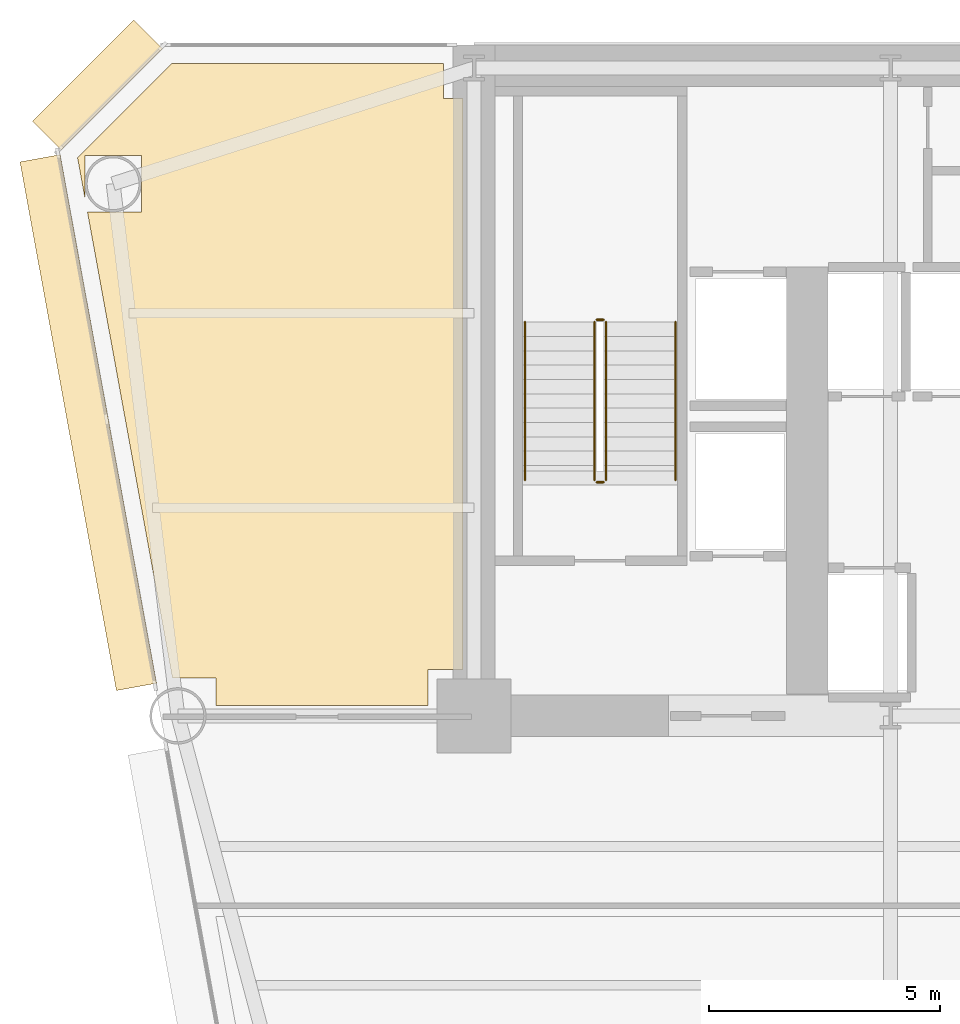
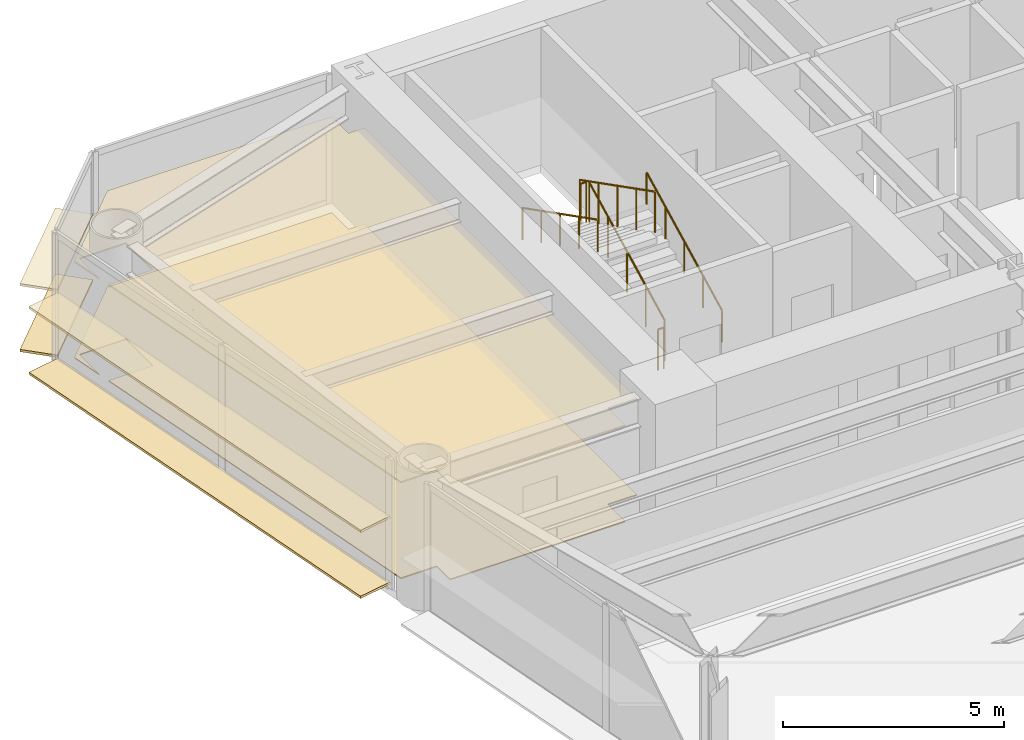
# One storey, part 12 of 14: 6 coverings, 6 railings.
"""IFC4 building model written with IfcOpenShell, lengths in metres."""

from ifc_helpers import new_model, si_unit, direction, frame, origin, origin_2d, place, context, subcontext, project, spatial, polyline, rectangle, circle, outline, extrude, source, transform, mapped, material, layer, layer_set, type_object, element, save


model = new_model("IFC4")

# Units and contexts
model_context = context("Model", 3, precision=1e-05, world=origin(), true_north=direction((0.0, 1.0)))
body_context = subcontext(model_context, "Body", "Model", "MODEL_VIEW")
ifc_project = project(units=[si_unit("LENGTHUNIT", "METRE"), si_unit("AREAUNIT", "SQUARE_METRE"), si_unit("VOLUMEUNIT", "CUBIC_METRE"), si_unit("PLANEANGLEUNIT", "RADIAN"), si_unit("MASSUNIT", "GRAM", prefix="KILO")], contexts=[model_context])

# Site, building, storey
site_placement = place(None, origin())
site = spatial("IfcSite", under=ifc_project, at=site_placement, CompositionType="ELEMENT")
building_placement = place(site_placement, origin())
building = spatial("IfcBuilding", under=site, at=building_placement, Name="Vaeldorn Concourse Tower", CompositionType="ELEMENT")
storey_placement = place(building_placement, frame((0.0, 0.0, 60.60009765625)))
storey = spatial("IfcBuildingStorey", under=building, at=storey_placement, Name="L15", CompositionType="ELEMENT", Elevation=60.60009765625)

# Coverings
ifc_material_1 = material(Name="Acoustic Mineral Fibre Board", Category="gypsum")
ifc_layer_1 = layer(ifc_material_1, 0.0400390625)
ifc_layer_set_1 = layer_set([ifc_layer_1], Name="Acoustic Mineral Fibre Board")
covering_type_1 = type_object("IfcCoveringType", Name="COV-CEIL-ACOUSTIC", PredefinedType="CEILING", material=ifc_layer_set_1)
covering_1_placement = place(storey_placement, frame((0.0, 0.0, 2.64990234375)))
element("IfcCovering", 1, at=covering_1_placement, inside=storey, type_object=covering_type_1, Name="Suspended Acoustic Ceiling L15-3", PredefinedType="CEILING", context=body_context, shape_type="SweptSolid", body=[
    extrude(outline(polyline([(7.4658203125, 50.60009765625), (13.340087890625, 50.60009765625), (13.340087890625, 49.840087890625), (13.760009765625, 49.840087890625), (13.760009765625, 37.5), (13.0, 37.5), (13.0, 36.719970703125), (8.419921875, 36.719970703125), (8.419921875, 37.320068359375), (7.481689453125, 37.320068359375), (5.6455078125, 47.390380859375), (6.8095703125, 47.390380859375), (6.8095703125, 48.609619140625), (5.590576171875, 48.609619140625), (5.590576171875, 47.69140625), (5.43115234375, 48.5654296875), (7.4658203125, 50.60009765625)])), origin(), (0.0, 0.0, 1.0), 0.0400390625),
])
ifc_material_2 = material(Name="Honed Limestone Terrazzo Flooring", Category="masonry")
ifc_layer_2 = layer(ifc_material_2, 0.0400390625)
ifc_layer_set_2 = layer_set([ifc_layer_2], Name="Honed Limestone Terrazzo Flooring")
covering_type_2 = type_object("IfcCoveringType", Name="COV-FLOOR-STONE", PredefinedType="FLOORING", material=ifc_layer_set_2)
covering_2_placement = place(storey_placement, origin())
element("IfcCovering", 2, at=covering_2_placement, inside=storey, type_object=covering_type_2, Name="Floor Finish Covering L15-3", PredefinedType="FLOORING", context=body_context, shape_type="SweptSolid", body=[
    extrude(outline(polyline([(7.4658203125, 50.60009765625), (13.340087890625, 50.60009765625), (13.340087890625, 49.840087890625), (13.760009765625, 49.840087890625), (13.760009765625, 37.5), (13.0, 37.5), (13.0, 36.719970703125), (8.419921875, 36.719970703125), (8.419921875, 37.320068359375), (7.481689453125, 37.320068359375), (5.6455078125, 47.390380859375), (6.8095703125, 47.390380859375), (6.8095703125, 48.609619140625), (5.590576171875, 48.609619140625), (5.590576171875, 47.69140625), (5.43115234375, 48.5654296875), (7.4658203125, 50.60009765625)])), origin(), (0.0, 0.0, 1.0), 0.02978515625),
])

# Railings
ifc_material_3 = material(Name="Anodised Bronze Aluminium", Category="aluminium")
railing_type_1 = type_object("IfcRailingType", Name="RL-STAIR-GUARD", PredefinedType="GUARDRAIL", material=ifc_material_3)
railing_1_placement = place(storey_placement, frame((16.85009765625, 41.60009765625, 0.158203125)))
element("IfcRailing", 3, at=railing_1_placement, inside=storey, type_object=railing_type_1, Name="L15 ST-1 stair guard 1", PredefinedType="GUARDRAIL", context=body_context, shape_type="SweptSolid", body=[
    extrude(circle(Radius=0.02392578125, at=origin_2d()), frame((0.0, 0.0, 1.1259765625), z_axis=(0.0, 0.890555807335, 0.454873997962), x_axis=(-1.0, 0.0, 0.0)), (0.0, 0.0, 1.0), 3.828857421875),
    extrude(circle(Radius=0.02099609375, at=origin_2d()), origin(), (0.0, 0.0, 1.0), 1.101806640625),
    extrude(circle(Radius=0.02099609375, at=origin_2d()), frame((0.0, 0.8525390625, 0.435546875)), (0.0, 0.0, 1.0), 1.101806640625),
    extrude(circle(Radius=0.02099609375, at=origin_2d()), frame((0.0, 1.705078125, 0.870849609375)), (0.0, 0.0, 1.0), 1.101806640625),
    extrude(circle(Radius=0.02099609375, at=origin_2d()), frame((0.0, 2.557373046875, 1.30615234375)), (0.0, 0.0, 1.0), 1.101806640625),
    extrude(circle(Radius=0.02099609375, at=origin_2d()), frame((0.0, 3.409912109375, 1.74169921875)), (0.0, 0.0, 1.0), 1.101806640625),
])
railing_2_placement = place(storey_placement, frame((16.800048828125, 45.06005859375, 1.89990234375)))
element("IfcRailing", 4, at=railing_2_placement, inside=storey, type_object=railing_type_1, Name="L15 ST-1 stair guard 2", PredefinedType="GUARDRAIL", context=body_context, shape_type="SweptSolid", body=[
    extrude(circle(Radius=0.02392578125, at=origin_2d()), frame((0.0, 0.0, 1.1259765625), z_axis=(-1.0, 0.0, 0.0), x_axis=(0.0, -1.0, 0.0)), (0.0, 0.0, 1.0), 0.150146484375),
    extrude(circle(Radius=0.02099609375, at=origin_2d()), origin(), (0.0, 0.0, 1.0), 1.101806640625),
    extrude(circle(Radius=0.02099609375, at=origin_2d()), frame((-0.150146484375, 0.0, 0.0)), (0.0, 0.0, 1.0), 1.101806640625),
])
railing_3_placement = place(storey_placement, frame((16.60009765625, 45.010009765625, 2.058349609375)))
element("IfcRailing", 5, at=railing_3_placement, inside=storey, type_object=railing_type_1, Name="L15 ST-1 stair guard 3", PredefinedType="GUARDRAIL", context=body_context, shape_type="SweptSolid", body=[
    extrude(circle(Radius=0.02392578125, at=origin_2d()), frame((0.0, 0.0, 1.1259765625), z_axis=(0.0, -0.890581635807, 0.454823427236), x_axis=(1.0, 0.0, 0.0)), (0.0, 0.0, 1.0), 3.828857421875),
    extrude(circle(Radius=0.02099609375, at=origin_2d()), origin(), (0.0, 0.0, 1.0), 1.101806640625),
    extrude(circle(Radius=0.02099609375, at=origin_2d()), frame((0.0, -0.8525390625, 0.435302734375)), (0.0, 0.0, 1.0), 1.101806640625),
    extrude(circle(Radius=0.02099609375, at=origin_2d()), frame((0.0, -1.705078125, 0.87060546875)), (0.0, 0.0, 1.0), 1.101806640625),
    extrude(circle(Radius=0.02099609375, at=origin_2d()), frame((0.0, -2.557373046875, 1.30615234375)), (0.0, 0.0, 1.0), 1.101806640625),
    extrude(circle(Radius=0.02099609375, at=origin_2d()), frame((0.0, -3.409912109375, 1.741455078125)), (0.0, 0.0, 1.0), 1.101806640625),
])
railing_4_placement = place(storey_placement, frame((16.800048828125, 41.550048828125, 0.0)))
element("IfcRailing", 6, at=railing_4_placement, inside=storey, type_object=railing_type_1, Name="L15 ST-1 stair guard 4", PredefinedType="GUARDRAIL", context=body_context, shape_type="SweptSolid", body=[
    extrude(circle(Radius=0.02392578125, at=origin_2d()), frame((0.0, 0.0, 1.1259765625), z_axis=(-1.0, 0.0, 0.0), x_axis=(0.0, -1.0, 0.0)), (0.0, 0.0, 1.0), 0.150146484375),
    extrude(circle(Radius=0.02099609375, at=origin_2d()), origin(), (0.0, 0.0, 1.0), 1.101806640625),
    extrude(circle(Radius=0.02099609375, at=origin_2d()), frame((-0.150146484375, 0.0, 0.0)), (0.0, 0.0, 1.0), 1.101806640625),
])
railing_type_2 = type_object("IfcRailingType", Name="RL-STAIR-HANDRAIL", PredefinedType="HANDRAIL", material=ifc_material_3)
railing_5_placement = place(storey_placement, frame((18.35009765625, 41.60009765625, 0.158203125)))
element("IfcRailing", 7, at=railing_5_placement, inside=storey, type_object=railing_type_2, Name="L15 ST-1 stair handrail 1", PredefinedType="HANDRAIL", context=body_context, shape_type="SweptSolid", body=[
    extrude(circle(Radius=0.02392578125, at=origin_2d()), frame((0.0, 0.0, 0.8759765625), z_axis=(0.0, 0.890555807335, 0.454873997962), x_axis=(-1.0, 0.0, 0.0)), (0.0, 0.0, 1.0), 3.828857421875),
    extrude(circle(Radius=0.02099609375, at=origin_2d()), origin(), (0.0, 0.0, 1.0), 0.851806640625),
    extrude(circle(Radius=0.02099609375, at=origin_2d()), frame((0.0, 0.8525390625, 0.435546875)), (0.0, 0.0, 1.0), 0.851806640625),
    extrude(circle(Radius=0.02099609375, at=origin_2d()), frame((0.0, 1.705078125, 0.870849609375)), (0.0, 0.0, 1.0), 0.851806640625),
    extrude(circle(Radius=0.02099609375, at=origin_2d()), frame((0.0, 2.557373046875, 1.30615234375)), (0.0, 0.0, 1.0), 0.851806640625),
    extrude(circle(Radius=0.02099609375, at=origin_2d()), frame((0.0, 3.409912109375, 1.74169921875)), (0.0, 0.0, 1.0), 0.851806640625),
])
railing_6_placement = place(storey_placement, frame((15.10009765625, 45.010009765625, 2.058349609375)))
element("IfcRailing", 8, at=railing_6_placement, inside=storey, type_object=railing_type_2, Name="L15 ST-1 stair handrail 2", PredefinedType="HANDRAIL", context=body_context, shape_type="SweptSolid", body=[
    extrude(circle(Radius=0.02392578125, at=origin_2d()), frame((0.0, 0.0, 0.8759765625), z_axis=(0.0, -0.890581635807, 0.454823427236), x_axis=(1.0, 0.0, 0.0)), (0.0, 0.0, 1.0), 3.828857421875),
    extrude(circle(Radius=0.02099609375, at=origin_2d()), origin(), (0.0, 0.0, 1.0), 0.851806640625),
    extrude(circle(Radius=0.02099609375, at=origin_2d()), frame((0.0, -0.8525390625, 0.435302734375)), (0.0, 0.0, 1.0), 0.851806640625),
    extrude(circle(Radius=0.02099609375, at=origin_2d()), frame((0.0, -1.705078125, 0.87060546875)), (0.0, 0.0, 1.0), 0.851806640625),
    extrude(circle(Radius=0.02099609375, at=origin_2d()), frame((0.0, -2.557373046875, 1.30615234375)), (0.0, 0.0, 1.0), 0.851806640625),
    extrude(circle(Radius=0.02099609375, at=origin_2d()), frame((0.0, -3.409912109375, 1.741455078125)), (0.0, 0.0, 1.0), 0.851806640625),
])

# Coverings
ifc_layer_3 = layer(ifc_material_3, 0.06494140625)
ifc_layer_set_3 = layer_set([ifc_layer_3], Name="Anodised Bronze Aluminium")
covering_type_3 = type_object("IfcCoveringType", Name="SD-BRONZE-SUNSHADE", PredefinedType="USERDEFINED", material=ifc_layer_set_3)
shared_shape_1 = source(origin(), body_context, "Body", "SweptSolid", [
    extrude(rectangle(XDim=3.0927734375, YDim=0.8798828125, at=origin_2d()), origin(), (0.0, 0.0, 1.0), 0.06494140625),
])
for number, where, z_axis, x_axis, name in (
    (9, (5.8671875, 50.1328125, 0.04736328125), (0.0, 0.0, 1.0), (-0.707106781187, -0.707106781187, 0.0), "Horizontal Bronze Sunshade L15-E10.1.1"),
    (10, (5.8671875, 50.1328125, 1.867431640625), (0.0, 0.0, 1.0), (-0.707106781187, -0.707106781187, 0.0), "Horizontal Bronze Sunshade L15-E10.1.2"),
):
    element("IfcCovering", number, at=place(storey_placement, frame(where, z_axis=z_axis, x_axis=x_axis)), inside=storey, type_object=covering_type_3, Name=name, ObjectType="SUNSHADE", PredefinedType="USERDEFINED", context=body_context, shape_type="MappedRepresentation", body=[
        mapped(shared_shape_1, transform((0.0, 0.0, 0.0), scale=1.0)),
    ])
shared_shape_2 = source(origin(), body_context, "Body", "SweptSolid", [
    extrude(rectangle(XDim=11.611328125, YDim=0.8798828125, at=origin_2d()), origin(), (0.0, 0.0, 1.0), 0.06494140625),
])
for number, where, z_axis, x_axis, name in (
    (11, (5.662353515625, 42.837890625, 0.04736328125), (0.0, 0.0, 1.0), (0.179386032735, -0.983778761338, 0.0), "Horizontal Bronze Sunshade L15-E11.1.1"),
    (12, (5.662353515625, 42.837890625, 1.867431640625), (0.0, 0.0, 1.0), (0.179386032735, -0.983778761338, 0.0), "Horizontal Bronze Sunshade L15-E11.1.2"),
):
    element("IfcCovering", number, at=place(storey_placement, frame(where, z_axis=z_axis, x_axis=x_axis)), inside=storey, type_object=covering_type_3, Name=name, ObjectType="SUNSHADE", PredefinedType="USERDEFINED", context=body_context, shape_type="MappedRepresentation", body=[
        mapped(shared_shape_2, transform((0.0, 0.0, 0.0), scale=1.0)),
    ])

save(model, "model.ifc")
